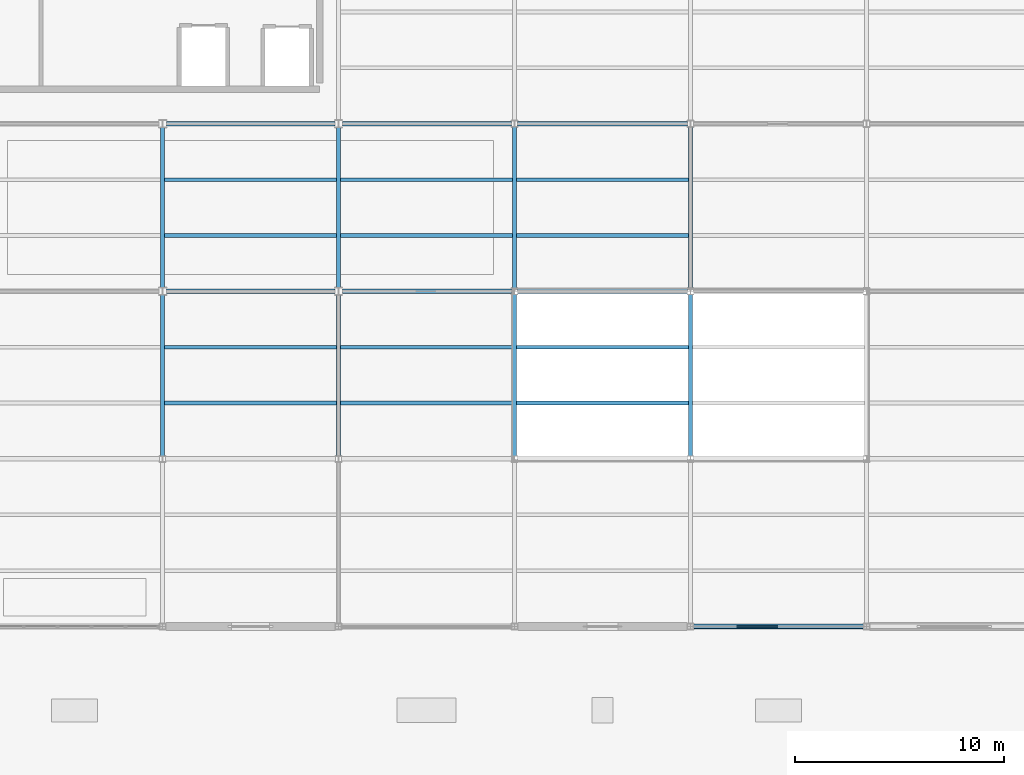
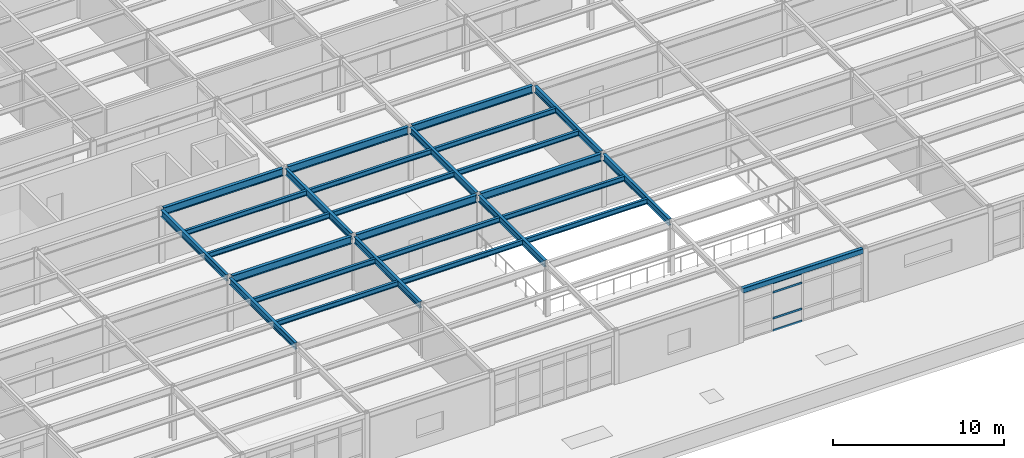
# One storey, part 31 of 138: 27 beams, 4 members, 1 element without a shape of its own.
"""IFC4 building model written with IfcOpenShell, lengths in metres."""

from ifc_helpers import new_model, si_unit, direction, frame, origin, origin_2d, place, context, subcontext, project, spatial, rectangle, hollow_rectangle, i_section, extrude, material, layer, layer_set, material_profile, profile_set, type_object, element, aggregate, save


model = new_model("IFC4")

# Units and contexts
model_context = context("Model", 3, precision=1e-05, world=origin(), true_north=direction((0.0, 1.0)))
body_context = subcontext(model_context, "Body", "Model", "MODEL_VIEW")
ifc_project = project(units=[si_unit("LENGTHUNIT", "METRE"), si_unit("AREAUNIT", "SQUARE_METRE"), si_unit("VOLUMEUNIT", "CUBIC_METRE"), si_unit("PLANEANGLEUNIT", "RADIAN"), si_unit("MASSUNIT", "GRAM", prefix="KILO")], contexts=[model_context])

# Site, building, storey
site_placement = place(None, origin())
site = spatial("IfcSite", under=ifc_project, at=site_placement, CompositionType="ELEMENT")
building_placement = place(site_placement, origin())
building = spatial("IfcBuilding", under=site, at=building_placement, Name="Kranzveld Transit Interchange", CompositionType="ELEMENT")
storey_placement = place(building_placement, frame((0.0, 0.0, 5.43994140625)))
storey = spatial("IfcBuildingStorey", under=building, at=storey_placement, Name="L01", CompositionType="ELEMENT", Elevation=5.43994140625)

# Beams
ifc_material_1 = material(Name="Steel S355JR", Category="steel")
ifc_material_profile_1 = material_profile(ifc_material_1, i_section(OverallWidth=0.19189453125, OverallDepth=0.46337890625, WebThickness=0.010498046875, FlangeThickness=0.017578125, FilletRadius=0.01025390625, at=origin_2d()), Name="UB 457x191x89")
ifc_profile_set_1 = profile_set([ifc_material_profile_1], Name="Steel S355JR")
beam_type_1 = type_object("IfcBeamType", Name="Beam Steel UB 457x191x89 S355JR", PredefinedType="BEAM", material=ifc_profile_set_1)
beam_1_placement = place(storey_placement, frame((67.199951171875, 16.150146484375, 3.568359375), z_axis=(0.0, 1.0, 0.0), x_axis=(-1.0, 0.0, 0.0)))
element("IfcBeam", 1, at=beam_1_placement, inside=storey, type_object=beam_type_1, Name="L01 Girder 09/C-D", PredefinedType="BEAM", context=body_context, shape_type="SweptSolid", body=[
    extrude(i_section(OverallWidth=0.19189453125, OverallDepth=0.46337890625, WebThickness=0.010498046875, FlangeThickness=0.017578125, FilletRadius=0.01025390625, at=origin_2d()), origin(), (0.0, 0.0, 1.0), 7.672607421875),
])
beam_2_placement = place(storey_placement, frame((67.199951171875, 24.17724609375, 3.568359375), z_axis=(0.0, 1.0, 0.0), x_axis=(-1.0, 0.0, 0.0)))
element("IfcBeam", 2, at=beam_2_placement, inside=storey, type_object=beam_type_1, Name="L01 Girder 09/D-E", PredefinedType="BEAM", context=body_context, shape_type="SweptSolid", body=[
    extrude(i_section(OverallWidth=0.19189453125, OverallDepth=0.46337890625, WebThickness=0.010498046875, FlangeThickness=0.017578125, FilletRadius=0.01025390625, at=origin_2d()), origin(), (0.0, 0.0, 1.0), 7.6455078125),
])
beam_3_placement = place(storey_placement, frame((75.60009765625, 16.150146484375, 3.568359375), z_axis=(0.0, 1.0, 0.0), x_axis=(-1.0, 0.0, 0.0)))
element("IfcBeam", 3, at=beam_3_placement, inside=storey, type_object=beam_type_1, Name="L01 Girder 10/C-D", PredefinedType="BEAM", context=body_context, shape_type="SweptSolid", body=[
    extrude(i_section(OverallWidth=0.19189453125, OverallDepth=0.46337890625, WebThickness=0.010498046875, FlangeThickness=0.017578125, FilletRadius=0.01025390625, at=origin_2d()), origin(), (0.0, 0.0, 1.0), 7.672607421875),
])
beam_4_placement = place(storey_placement, frame((75.60009765625, 24.17724609375, 3.568359375), z_axis=(0.0, 1.0, 0.0), x_axis=(-1.0, 0.0, 0.0)))
element("IfcBeam", 4, at=beam_4_placement, inside=storey, type_object=beam_type_1, Name="L01 Girder 10/D-E", PredefinedType="BEAM", context=body_context, shape_type="SweptSolid", body=[
    extrude(i_section(OverallWidth=0.19189453125, OverallDepth=0.46337890625, WebThickness=0.010498046875, FlangeThickness=0.017578125, FilletRadius=0.01025390625, at=origin_2d()), origin(), (0.0, 0.0, 1.0), 7.6455078125),
])
for number, where, z_axis, x_axis, name in (
    (5, (84.0, 16.150146484375, 3.568359375), (0.0, 1.0, 0.0), (-1.0, 0.0, 0.0), "L01 Girder 11/C-D"),
    (6, (84.0, 24.150146484375, 3.568359375), (0.0, 1.0, 0.0), (-1.0, 0.0, 0.0), "L01 Girder 11/D-E"),
    (7, (92.39990234375, 16.150146484375, 3.568359375), (0.0, 1.0, 0.0), (-1.0, 0.0, 0.0), "L01 Girder 12/C-D"),
    (8, (92.39990234375, 24.150146484375, 3.568359375), (0.0, 1.0, 0.0), (-1.0, 0.0, 0.0), "L01 Girder 12/D-E"),
):
    element("IfcBeam", number, at=place(storey_placement, frame(where, z_axis=z_axis, x_axis=x_axis)), inside=storey, type_object=beam_type_1, Name=name, PredefinedType="BEAM", context=body_context, shape_type="SweptSolid", body=[
        extrude(i_section(OverallWidth=0.19189453125, OverallDepth=0.46337890625, WebThickness=0.010498046875, FlangeThickness=0.017578125, FilletRadius=0.01025390625, at=origin_2d()), origin(), (0.0, 0.0, 1.0), 7.69970703125),
    ])

# Curtain wall, members
ifc_material_2 = material(Name="Bronze-anodised thermally broken aluminium", Category="aluminium")
ifc_layer = layer(ifc_material_2, 0.159912109375)
ifc_layer_set = layer_set([ifc_layer], Name="Bronze-anodised thermally broken aluminium")
curtain_wall_type = type_object("IfcCurtainWallType", Name="Bus Boarding Glazed Screen CW-3", PredefinedType="USERDEFINED", material=ifc_layer_set)
curtain_wall_placement = place(storey_placement, origin())
curtain_wall = element("IfcCurtainWall", 9, at=curtain_wall_placement, inside=storey, type_object=curtain_wall_type, Name="L01 Curtain Wall 12/B-13/B", ObjectType="CURTAIN WALL", PredefinedType="USERDEFINED")
ifc_material_3 = material(Name="Bronze-anodised thermally broken aluminium", Category="aluminium")
ifc_material_profile_2 = material_profile(ifc_material_3, rectangle(XDim=0.06494140625, YDim=0.139892578125, at=origin_2d()), Name="ALU TRANSOM 65x140")
ifc_profile_set_2 = profile_set([ifc_material_profile_2], Name="Bronze-anodised thermally broken aluminium")
member_type = type_object("IfcMemberType", Name="Curtain Wall Transom 65x140 Alu", PredefinedType="USERDEFINED", material=ifc_profile_set_2)
member_1_placement = place(storey_placement, frame((94.607421875, 8.0, 0.032470703125), z_axis=(1.0, 0.0, 0.0), x_axis=(0.0, 1.0, 0.0)))
member_1 = element("IfcMember", 10, at=member_1_placement, type_object=member_type, Name="CW-3 transom 2.1", ObjectType="TRANSOM", PredefinedType="USERDEFINED", context=body_context, shape_type="SweptSolid", body=[
    extrude(rectangle(XDim=0.06494140625, YDim=0.139892578125, at=origin_2d()), origin(), (0.0, 0.0, 1.0), 1.962646484375),
])
member_2_placement = place(storey_placement, frame((94.607421875, 8.0, 0.900146484375), z_axis=(1.0, 0.0, 0.0), x_axis=(0.0, 1.0, 0.0)))
member_2 = element("IfcMember", 11, at=member_2_placement, type_object=member_type, Name="CW-3 transom 2.2", ObjectType="TRANSOM", PredefinedType="USERDEFINED", context=body_context, shape_type="SweptSolid", body=[
    extrude(rectangle(XDim=0.06494140625, YDim=0.139892578125, at=origin_2d()), origin(), (0.0, 0.0, 1.0), 1.962646484375),
])
member_3_placement = place(storey_placement, frame((94.607421875, 8.0, 2.75), z_axis=(1.0, 0.0, 0.0), x_axis=(0.0, 1.0, 0.0)))
member_3 = element("IfcMember", 12, at=member_3_placement, type_object=member_type, Name="CW-3 transom 2.3", ObjectType="TRANSOM", PredefinedType="USERDEFINED", context=body_context, shape_type="SweptSolid", body=[
    extrude(rectangle(XDim=0.06494140625, YDim=0.139892578125, at=origin_2d()), origin(), (0.0, 0.0, 1.0), 1.962646484375),
])
member_4_placement = place(storey_placement, frame((94.607421875, 8.0, 3.41748046875), z_axis=(1.0, 0.0, 0.0), x_axis=(0.0, 1.0, 0.0)))
member_4 = element("IfcMember", 13, at=member_4_placement, type_object=member_type, Name="CW-3 transom 2.4", ObjectType="TRANSOM", PredefinedType="USERDEFINED", context=body_context, shape_type="SweptSolid", body=[
    extrude(rectangle(XDim=0.06494140625, YDim=0.139892578125, at=origin_2d()), origin(), (0.0, 0.0, 1.0), 1.962646484375),
])
aggregate(curtain_wall, [member_1, member_2, member_3, member_4])

# Beams
ifc_material_4 = material(Name="Steel S355JR", Category="steel")
ifc_material_profile_3 = material_profile(ifc_material_4, hollow_rectangle(XDim=0.25, YDim=0.35009765625, WallThickness=0.012451171875, InnerFilletRadius=0.018798828125, OuterFilletRadius=0.03125, at=origin_2d()), Name="RHS 350x250x12.5")
ifc_profile_set_3 = profile_set([ifc_material_profile_3], Name="Steel S355JR")
beam_type_2 = type_object("IfcBeamType", Name="Edge Spandrel RHS 350x250x12.5 S355JR", PredefinedType="SPANDREL", material=ifc_profile_set_3)
beam_5_placement = place(storey_placement, frame((92.544677734375, 8.0, 3.625), z_axis=(1.0, 0.0, 0.0), x_axis=(0.0, 1.0, 0.0)))
element("IfcBeam", 14, at=beam_5_placement, inside=storey, type_object=beam_type_2, Name="L01 Girder 12-13/B", PredefinedType="SPANDREL", context=body_context, shape_type="SweptSolid", body=[
    extrude(hollow_rectangle(XDim=0.25, YDim=0.35009765625, WallThickness=0.012451171875, InnerFilletRadius=0.018798828125, OuterFilletRadius=0.03125, at=origin_2d()), origin(), (0.0, 0.0, 1.0), 8.11083984375),
])
ifc_material_5 = material(Name="Steel S355JR", Category="steel")
ifc_material_profile_4 = material_profile(ifc_material_5, i_section(OverallWidth=0.172119140625, OverallDepth=0.35791015625, WebThickness=0.008056640625, FlangeThickness=0.012939453125, FilletRadius=0.01025390625, at=origin_2d()), Name="UB 356x171x57")
ifc_profile_set_4 = profile_set([ifc_material_profile_4], Name="Steel S355JR")
beam_type_3 = type_object("IfcBeamType", Name="Floor Joist UB 356x171x57 S355JR", PredefinedType="JOIST", material=ifc_profile_set_4)
for number, where, z_axis, x_axis, name in (
    (15, (67.2978515625, 18.666748046875, 3.62109375), (1.0, 0.0, 0.0), (0.0, 1.0, 0.0), "L01 Secondary Joist 09-10/C.1"),
    (16, (67.2978515625, 21.333251953125, 3.62109375), (1.0, 0.0, 0.0), (0.0, 1.0, 0.0), "L01 Secondary Joist 09-10/C.2"),
    (17, (67.2978515625, 26.666748046875, 3.62109375), (1.0, 0.0, 0.0), (0.0, 1.0, 0.0), "L01 Secondary Joist 09-10/D.1"),
    (18, (67.2978515625, 29.333251953125, 3.62109375), (1.0, 0.0, 0.0), (0.0, 1.0, 0.0), "L01 Secondary Joist 09-10/D.2"),
    (19, (75.697998046875, 18.666748046875, 3.62109375), (1.0, 0.0, 0.0), (0.0, 1.0, 0.0), "L01 Secondary Joist 10-11/C.1"),
    (20, (75.697998046875, 21.333251953125, 3.62109375), (1.0, 0.0, 0.0), (0.0, 1.0, 0.0), "L01 Secondary Joist 10-11/C.2"),
    (21, (75.697998046875, 26.666748046875, 3.62109375), (1.0, 0.0, 0.0), (0.0, 1.0, 0.0), "L01 Secondary Joist 10-11/D.1"),
    (22, (75.697998046875, 29.333251953125, 3.62109375), (1.0, 0.0, 0.0), (0.0, 1.0, 0.0), "L01 Secondary Joist 10-11/D.2"),
    (23, (84.097900390625, 18.666748046875, 3.62109375), (1.0, 0.0, 0.0), (0.0, 1.0, 0.0), "L01 Secondary Joist 11-12/C.1"),
    (24, (84.097900390625, 21.333251953125, 3.62109375), (1.0, 0.0, 0.0), (0.0, 1.0, 0.0), "L01 Secondary Joist 11-12/C.2"),
    (25, (84.097900390625, 26.666748046875, 3.62109375), (1.0, 0.0, 0.0), (0.0, 1.0, 0.0), "L01 Secondary Joist 11-12/D.1"),
    (26, (84.097900390625, 29.333251953125, 3.62109375), (1.0, 0.0, 0.0), (0.0, 1.0, 0.0), "L01 Secondary Joist 11-12/D.2"),
):
    element("IfcBeam", number, at=place(storey_placement, frame(where, z_axis=z_axis, x_axis=x_axis)), inside=storey, type_object=beam_type_3, Name=name, PredefinedType="JOIST", context=body_context, shape_type="SweptSolid", body=[
        extrude(i_section(OverallWidth=0.172119140625, OverallDepth=0.35791015625, WebThickness=0.008056640625, FlangeThickness=0.012939453125, FilletRadius=0.01025390625, at=origin_2d()), origin(), (0.0, 0.0, 1.0), 8.2041015625),
    ])
ifc_material_6 = material(Name="Steel S355JR", Category="steel")
ifc_material_profile_5 = material_profile(ifc_material_6, i_section(OverallWidth=0.210693359375, OverallDepth=0.53955078125, WebThickness=0.01171875, FlangeThickness=0.018798828125, FilletRadius=0.0126953125, at=origin_2d()), Name="UB 533x210x109")
ifc_profile_set_5 = profile_set([ifc_material_profile_5], Name="Steel S355JR")
beam_type_4 = type_object("IfcBeamType", Name="Girder Steel UB 533x210x109 S355JR", PredefinedType="BEAM", material=ifc_profile_set_5)
beam_6_placement = place(storey_placement, frame((67.377197265625, 24.0, 3.5302734375), z_axis=(1.0, 0.0, 0.0), x_axis=(0.0, 1.0, 0.0)))
element("IfcBeam", 27, at=beam_6_placement, inside=storey, type_object=beam_type_4, Name="L01 Girder 09-10/D", PredefinedType="BEAM", context=body_context, shape_type="SweptSolid", body=[
    extrude(i_section(OverallWidth=0.210693359375, OverallDepth=0.53955078125, WebThickness=0.01171875, FlangeThickness=0.018798828125, FilletRadius=0.0126953125, at=origin_2d()), origin(), (0.0, 0.0, 1.0), 8.04541015625),
])
beam_7_placement = place(storey_placement, frame((75.77734375, 24.0, 3.5302734375), z_axis=(1.0, 0.0, 0.0), x_axis=(0.0, 1.0, 0.0)))
element("IfcBeam", 28, at=beam_7_placement, inside=storey, type_object=beam_type_4, Name="L01 Girder 10-11/D", PredefinedType="BEAM", context=body_context, shape_type="SweptSolid", body=[
    extrude(i_section(OverallWidth=0.210693359375, OverallDepth=0.53955078125, WebThickness=0.01171875, FlangeThickness=0.018798828125, FilletRadius=0.0126953125, at=origin_2d()), origin(), (0.0, 0.0, 1.0), 8.078125),
])
beam_8_placement = place(storey_placement, frame((84.14453125, 24.0, 3.5302734375), z_axis=(1.0, 0.0, 0.0), x_axis=(0.0, 1.0, 0.0)))
element("IfcBeam", 29, at=beam_8_placement, inside=storey, type_object=beam_type_4, Name="L01 Girder 11-12/D", PredefinedType="BEAM", context=body_context, shape_type="SweptSolid", body=[
    extrude(i_section(OverallWidth=0.210693359375, OverallDepth=0.53955078125, WebThickness=0.01171875, FlangeThickness=0.018798828125, FilletRadius=0.0126953125, at=origin_2d()), origin(), (0.0, 0.0, 1.0), 8.11083984375),
])
beam_9_placement = place(storey_placement, frame((67.377197265625, 32.0, 3.5302734375), z_axis=(1.0, 0.0, 0.0), x_axis=(0.0, 1.0, 0.0)))
element("IfcBeam", 30, at=beam_9_placement, inside=storey, type_object=beam_type_4, Name="L01 Girder 09-10/E", PredefinedType="BEAM", context=body_context, shape_type="SweptSolid", body=[
    extrude(i_section(OverallWidth=0.210693359375, OverallDepth=0.53955078125, WebThickness=0.01171875, FlangeThickness=0.018798828125, FilletRadius=0.0126953125, at=origin_2d()), origin(), (0.0, 0.0, 1.0), 8.04541015625),
])
beam_10_placement = place(storey_placement, frame((75.77734375, 32.0, 3.5302734375), z_axis=(1.0, 0.0, 0.0), x_axis=(0.0, 1.0, 0.0)))
element("IfcBeam", 31, at=beam_10_placement, inside=storey, type_object=beam_type_4, Name="L01 Girder 10-11/E", PredefinedType="BEAM", context=body_context, shape_type="SweptSolid", body=[
    extrude(i_section(OverallWidth=0.210693359375, OverallDepth=0.53955078125, WebThickness=0.01171875, FlangeThickness=0.018798828125, FilletRadius=0.0126953125, at=origin_2d()), origin(), (0.0, 0.0, 1.0), 8.078125),
])
beam_11_placement = place(storey_placement, frame((84.14453125, 32.0, 3.5302734375), z_axis=(1.0, 0.0, 0.0), x_axis=(0.0, 1.0, 0.0)))
element("IfcBeam", 32, at=beam_11_placement, inside=storey, type_object=beam_type_4, Name="L01 Girder 11-12/E", PredefinedType="BEAM", context=body_context, shape_type="SweptSolid", body=[
    extrude(i_section(OverallWidth=0.210693359375, OverallDepth=0.53955078125, WebThickness=0.01171875, FlangeThickness=0.018798828125, FilletRadius=0.0126953125, at=origin_2d()), origin(), (0.0, 0.0, 1.0), 8.11083984375),
])

save(model, "model.ifc")
